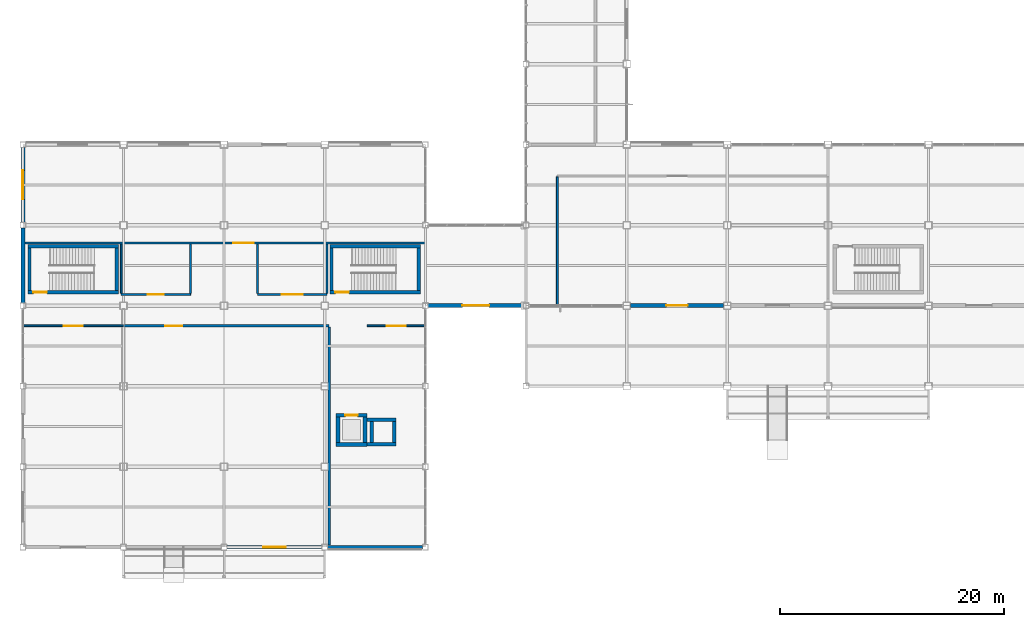
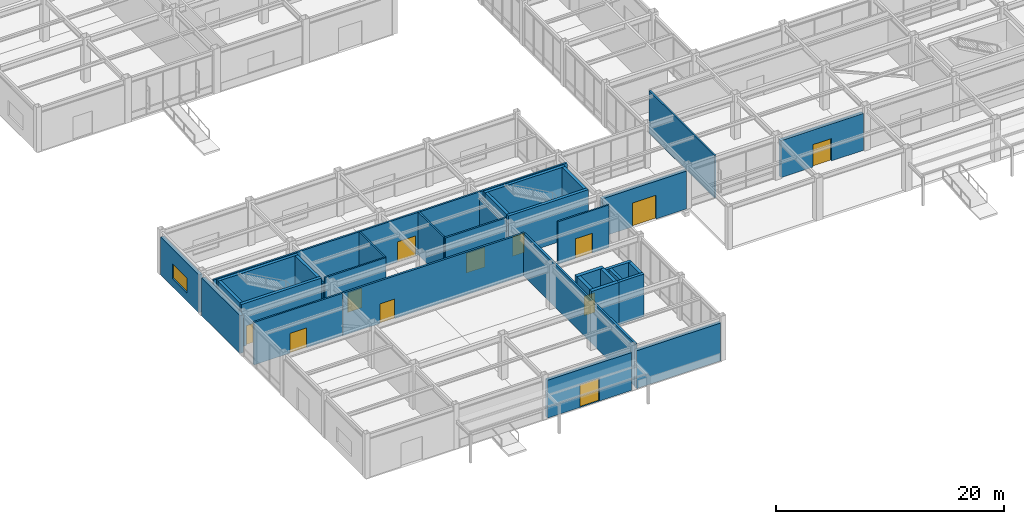
# One storey, part 87 of 112: 34 walls, 12 doors, 1 window, 13 openings.
"""IFC4 building model written with IfcOpenShell, lengths in metres."""

from ifc_helpers import new_model, si_unit, direction, frame, frame_2d, origin, place, context, subcontext, project, spatial, rectangle, extrude, material, layer, layer_set, type_object, element, fill, save


model = new_model("IFC4")

# Units and contexts
model_context = context("Model", 3, precision=1e-05, world=origin(), true_north=direction((0.0, 1.0)))
body_context = subcontext(model_context, "Body", "Model", "MODEL_VIEW")
ifc_project = project(units=[si_unit("LENGTHUNIT", "METRE"), si_unit("AREAUNIT", "SQUARE_METRE"), si_unit("VOLUMEUNIT", "CUBIC_METRE"), si_unit("PLANEANGLEUNIT", "RADIAN"), si_unit("MASSUNIT", "GRAM", prefix="KILO")], contexts=[model_context])

# Site, building, storey
site_placement = place(None, origin())
site = spatial("IfcSite", under=ifc_project, at=site_placement, CompositionType="ELEMENT")
building_placement = place(site_placement, origin())
building = spatial("IfcBuilding", under=site, at=building_placement, Name="Kazanami Central Library", CompositionType="ELEMENT")
storey_placement = place(building_placement, origin())
storey = spatial("IfcBuildingStorey", under=building, at=storey_placement, Name="L01", CompositionType="ELEMENT", Elevation=0.0)

# Wall, opening, door
ifc_material_1 = material(Name="Concrete Fc36 (36 MPa)", Category="concrete")
ifc_layer_1 = layer(ifc_material_1, 0.27001953125, Name="Concrete Fc36 (36 MPa)")
ifc_material_2 = material(Name="Extruded Polystyrene XPS", Category="earth")
ifc_layer_2 = layer(ifc_material_2, 0.050048828125, Name="Extruded Polystyrene XPS")
ifc_material_3 = material(Name="Honed Inada Granite", Category="masonry")
ifc_layer_3 = layer(ifc_material_3, 0.030029296875, Name="Honed Inada Granite")
ifc_layer_set_1 = layer_set([ifc_layer_1, ifc_layer_2, ifc_layer_3], Name="Concrete Fc36 (36 MPa)")
wall_type_1 = type_object("IfcWallType", Name="WAL-EW-350", PredefinedType="STANDARD", material=ifc_layer_set_1)
wall_1_placement = place(storey_placement, frame((18.25, 0.0, 0.0), z_axis=(0.0, 0.0, 1.0), x_axis=(1.0, 0.0, 0.0)))
wall_1 = element("IfcWall", 1, at=wall_1_placement, inside=storey, type_object=wall_type_1, Name="Exterior Facade Wall EW-350 L01 S-A-02", PredefinedType="STANDARD", context=body_context, shape_type="SweptSolid", body=[
    extrude(rectangle(XDim=8.5, YDim=0.35009765625, at=frame_2d((4.25, 0.0))), origin(), (0.0, 0.0, 1.0), 4.054931640625),
])
opening_1_placement = place(wall_1_placement, frame((3.25, 0.0, 0.0)))
opening_1 = element("IfcOpeningElement", 2, at=opening_1_placement, cuts=wall_1, Name="Opening ED-02", PredefinedType="OPENING", context=body_context, shape_type="SweptSolid", body=[
    extrude(rectangle(XDim=2.0, YDim=2.449951171875, at=frame_2d((1.0, 1.22509765625))), frame((0.0, 0.18701171875, 0.0), z_axis=(0.0, -1.0, 0.0), x_axis=(1.0, 0.0, 0.0)), (0.0, 0.0, 1.0), 0.3740234375),
])
ifc_material_4 = material(Name="Anodised Aluminium A6063-T5", Category="aluminium")
door_type_1 = type_object("IfcDoorType", Name="DOR-ED-02", OperationType="DOUBLE_DOOR_SINGLE_SWING", PredefinedType="DOOR", material=ifc_material_4)
door_1_placement = place(opening_1_placement, frame((2.0, 0.0, 0.0), z_axis=(0.0, 0.0, 1.0), x_axis=(-1.0, 0.0, 0.0)))
door_1 = element("IfcDoor", 3, at=door_1_placement, inside=storey, type_object=door_type_1, Name="Main Pedestrian Exit Door 02", OperationType="DOUBLE_DOOR_SINGLE_SWING", OverallHeight=2.449951171875, OverallWidth=2.0, PredefinedType="DOOR", context=body_context, shape_type="SweptSolid", body=[
    extrude(rectangle(XDim=2.0, YDim=2.449951171875, at=frame_2d((1.0, 1.22509765625))), frame((0.0, 0.02490234375, 0.0), z_axis=(0.0, -1.0, 0.0), x_axis=(1.0, 0.0, 0.0)), (0.0, 0.0, 1.0), 0.050048828125),
])
fill(opening_1, door_1)

# Wall
wall_2_placement = place(storey_placement, frame((27.25, 0.0, 0.0), z_axis=(0.0, 0.0, 1.0), x_axis=(1.0, 0.0, 0.0)))
element("IfcWall", 4, at=wall_2_placement, inside=storey, type_object=wall_type_1, Name="Exterior Facade Wall EW-350 L01 S-A-03", PredefinedType="STANDARD", context=body_context, shape_type="SweptSolid", body=[
    extrude(rectangle(XDim=8.5, YDim=0.35009765625, at=frame_2d((4.25, 0.0))), origin(), (0.0, 0.0, 1.0), 4.054931640625),
])

# Wall, opening, door
wall_3_placement = place(storey_placement, frame((36.25, 21.60009765625, 0.0), z_axis=(0.0, 0.0, 1.0), x_axis=(1.0, 0.0, 0.0)))
wall_3 = element("IfcWall", 5, at=wall_3_placement, inside=storey, type_object=wall_type_1, Name="Exterior Facade Wall EW-350 L01 S-D-04", PredefinedType="STANDARD", context=body_context, shape_type="SweptSolid", body=[
    extrude(rectangle(XDim=8.5, YDim=0.35009765625, at=frame_2d((4.25, 0.0))), origin(), (0.0, 0.0, 1.0), 4.054931640625),
])
opening_2_placement = place(wall_3_placement, frame((3.050048828125, 0.0, 0.0)))
opening_2 = element("IfcOpeningElement", 6, at=opening_2_placement, cuts=wall_3, Name="Opening ED-03", PredefinedType="OPENING", context=body_context, shape_type="SweptSolid", body=[
    extrude(rectangle(XDim=2.39990234375, YDim=2.550048828125, at=frame_2d((1.199951171875, 1.27490234375))), frame((0.0, 0.18701171875, 0.0), z_axis=(0.0, -1.0, 0.0), x_axis=(1.0, 0.0, 0.0)), (0.0, 0.0, 1.0), 0.3740234375),
])
door_type_2 = type_object("IfcDoorType", Name="DOR-ED-03", OperationType="DOUBLE_DOOR_SINGLE_SWING", PredefinedType="DOOR", material=ifc_material_4)
door_2_placement = place(opening_2_placement, frame((2.39990234375, 0.0, 0.0), z_axis=(0.0, 0.0, 1.0), x_axis=(-1.0, 0.0, 0.0)))
door_2 = element("IfcDoor", 7, at=door_2_placement, inside=storey, type_object=door_type_2, Name="Main Pedestrian Exit Door 03", OperationType="DOUBLE_DOOR_SINGLE_SWING", OverallHeight=2.550048828125, OverallWidth=2.39990234375, PredefinedType="DOOR", context=body_context, shape_type="SweptSolid", body=[
    extrude(rectangle(XDim=2.39990234375, YDim=2.550048828125, at=frame_2d((1.199951171875, 1.27490234375))), frame((0.0, 0.02490234375, 0.0), z_axis=(0.0, -1.0, 0.0), x_axis=(1.0, 0.0, 0.0)), (0.0, 0.0, 1.0), 0.050048828125),
])
fill(opening_2, door_2)

wall_4_placement = place(storey_placement, frame((54.324951171875, 21.60009765625, 0.0), z_axis=(0.0, 0.0, 1.0), x_axis=(1.0, 0.0, 0.0)))
wall_4 = element("IfcWall", 8, at=wall_4_placement, inside=storey, type_object=wall_type_1, Name="Exterior Facade Wall EW-350 L01 S-D-06", PredefinedType="STANDARD", context=body_context, shape_type="SweptSolid", body=[
    extrude(rectangle(XDim=8.35009765625, YDim=0.35009765625, at=frame_2d((4.175048828125, 0.0))), origin(), (0.0, 0.0, 1.0), 3.955078125),
])
opening_3_placement = place(wall_4_placement, frame((3.22509765625, 0.0, 0.0)))
opening_3 = element("IfcOpeningElement", 9, at=opening_3_placement, cuts=wall_4, Name="Opening ED-04", PredefinedType="OPENING", context=body_context, shape_type="SweptSolid", body=[
    extrude(rectangle(XDim=1.89990234375, YDim=2.39990234375, at=frame_2d((0.949951171875, 1.199951171875))), frame((0.0, 0.18701171875, 0.0), z_axis=(0.0, -1.0, 0.0), x_axis=(1.0, 0.0, 0.0)), (0.0, 0.0, 1.0), 0.3740234375),
])
door_type_3 = type_object("IfcDoorType", Name="DOR-ED-04", OperationType="DOUBLE_DOOR_SINGLE_SWING", PredefinedType="DOOR", material=ifc_material_4)
door_3_placement = place(opening_3_placement, frame((1.89990234375, 0.0, 0.0), z_axis=(0.0, 0.0, 1.0), x_axis=(-1.0, 0.0, 0.0)))
door_3 = element("IfcDoor", 10, at=door_3_placement, inside=storey, type_object=door_type_3, Name="Main Pedestrian Exit Door 04", OperationType="DOUBLE_DOOR_SINGLE_SWING", OverallHeight=2.39990234375, OverallWidth=1.89990234375, PredefinedType="DOOR", context=body_context, shape_type="SweptSolid", body=[
    extrude(rectangle(XDim=1.89990234375, YDim=2.39990234375, at=frame_2d((0.949951171875, 1.199951171875))), frame((0.0, 0.02490234375, 0.0), z_axis=(0.0, -1.0, 0.0), x_axis=(1.0, 0.0, 0.0)), (0.0, 0.0, 1.0), 0.050048828125),
])
fill(opening_3, door_3)

# Wall
wall_5_placement = place(storey_placement, frame((0.0, 21.85009765625, 0.0), z_axis=(0.0, 0.0, 1.0), x_axis=(0.0, 1.0, 0.0)))
element("IfcWall", 11, at=wall_5_placement, inside=storey, type_object=wall_type_1, Name="Exterior Facade Wall EW-350 L01 W-1-03", PredefinedType="STANDARD", context=body_context, shape_type="SweptSolid", body=[
    extrude(rectangle(XDim=6.699951171875, YDim=0.35009765625, at=frame_2d((3.35009765625, 0.0))), origin(), (0.0, 0.0, 1.0), 4.054931640625),
])

# Wall, opening, window
wall_6_placement = place(storey_placement, frame((0.0, 29.050048828125, 0.0), z_axis=(0.0, 0.0, 1.0), x_axis=(0.0, 1.0, 0.0)))
wall_6 = element("IfcWall", 12, at=wall_6_placement, inside=storey, type_object=wall_type_1, Name="Exterior Facade Wall EW-350 L01 W-1-04", PredefinedType="STANDARD", context=body_context, shape_type="SweptSolid", body=[
    extrude(rectangle(XDim=6.699951171875, YDim=0.35009765625, at=frame_2d((3.35009765625, 0.0))), origin(), (0.0, 0.0, 1.0), 4.054931640625),
])
opening_4_placement = place(wall_6_placement, frame((2.050048828125, 0.0, 0.85009765625)))
opening_4 = element("IfcOpeningElement", 13, at=opening_4_placement, cuts=wall_6, Name="Opening WN-13", PredefinedType="OPENING", context=body_context, shape_type="SweptSolid", body=[
    extrude(rectangle(XDim=2.60009765625, YDim=1.60009765625, at=frame_2d((1.300048828125, 0.800048828125))), frame((0.0, 0.18701171875, 0.0), z_axis=(0.0, -1.0, 0.0), x_axis=(1.0, 0.0, 0.0)), (0.0, 0.0, 1.0), 0.3740234375),
])
ifc_material_5 = material(Name="Low-E Insulated Triple Glass", Category="glass")
window_type = type_object("IfcWindowType", Name="WIN-WN-13", PartitioningType="DOUBLE_PANEL_VERTICAL", PredefinedType="WINDOW", material=ifc_material_5)
window_placement = place(opening_4_placement, origin())
window = element("IfcWindow", 14, at=window_placement, inside=storey, type_object=window_type, Name="Facade Window WN-13 L01 W-1-04", OverallHeight=1.60009765625, OverallWidth=2.60009765625, PartitioningType="DOUBLE_PANEL_VERTICAL", PredefinedType="WINDOW", context=body_context, shape_type="SweptSolid", body=[
    extrude(rectangle(XDim=2.60009765625, YDim=1.60009765625, at=frame_2d((1.300048828125, 0.800048828125))), frame((0.0, 0.030029296875, 0.0), z_axis=(0.0, -1.0, 0.0), x_axis=(1.0, 0.0, 0.0)), (0.0, 0.0, 1.0), 0.06005859375),
])
fill(opening_4, window)

# Wall, opening, door
ifc_material_6 = material(Name="Fire-Resistant Gypsum Board GB-F", Category="gypsum")
ifc_layer_4 = layer(ifc_material_6, 0.1650390625, Name="Fire-Resistant Gypsum Board GB-F")
ifc_layer_set_2 = layer_set([ifc_layer_4], Name="Fire-Resistant Gypsum Board GB-F")
wall_type_2 = type_object("IfcWallType", Name="WAL-FW-165", PredefinedType="PARTITIONING", material=ifc_layer_set_2)
wall_7_placement = place(storey_placement, frame((0.034912109375, 19.800048828125, 0.0), z_axis=(0.0, 0.0, 1.0), x_axis=(1.0, 0.0, 0.0)))
wall_7 = element("IfcWall", 15, at=wall_7_placement, inside=storey, type_object=wall_type_2, Name="Interior Partition FW-165 L01 RM-06 (North)", PredefinedType="PARTITIONING", context=body_context, shape_type="SweptSolid", body=[
    extrude(rectangle(XDim=8.965087890625, YDim=0.1650390625, at=frame_2d((4.482421875, 0.0))), origin(), (0.0, 0.0, 1.0), 4.554931640625),
])
opening_5_placement = place(wall_7_placement, frame((3.614990234375, 0.0, 0.0)))
opening_5 = element("IfcOpeningElement", 16, at=opening_5_placement, cuts=wall_7, Name="Opening FD30-4", PredefinedType="OPENING", context=body_context, shape_type="SweptSolid", body=[
    extrude(rectangle(XDim=1.699951171875, YDim=2.1201171875, at=frame_2d((0.85009765625, 1.06005859375))), frame((0.0, 0.094482421875, 0.0), z_axis=(0.0, -1.0, 0.0), x_axis=(1.0, 0.0, 0.0)), (0.0, 0.0, 1.0), 0.18896484375),
])
ifc_material_7 = material(Name="Cold-Rolled Steel SPCC", Category="steel")
door_type_4 = type_object("IfcDoorType", Name="DOR-FD30-4", OperationType="DOUBLE_DOOR_SINGLE_SWING", PredefinedType="DOOR", material=ifc_material_7)
door_4_placement = place(opening_5_placement, origin())
door_4 = element("IfcDoor", 17, at=door_4_placement, inside=storey, type_object=door_type_4, Name="Interior Door FD30-4 L01 RM-06", OperationType="DOUBLE_DOOR_SINGLE_SWING", OverallHeight=2.1201171875, OverallWidth=1.699951171875, PredefinedType="DOOR", context=body_context, shape_type="SweptSolid", body=[
    extrude(rectangle(XDim=1.699951171875, YDim=2.1201171875, at=frame_2d((0.85009765625, 1.06005859375))), frame((0.0, 0.02490234375, 0.0), z_axis=(0.0, -1.0, 0.0), x_axis=(1.0, 0.0, 0.0)), (0.0, 0.0, 1.0), 0.050048828125),
])
fill(opening_5, door_4)

wall_8_placement = place(storey_placement, frame((30.800048828125, 19.800048828125, 0.0), z_axis=(0.0, 0.0, 1.0), x_axis=(1.0, 0.0, 0.0)))
wall_8 = element("IfcWall", 18, at=wall_8_placement, inside=storey, type_object=wall_type_2, Name="Interior Partition FW-165 L01 RM-08 (North)", PredefinedType="PARTITIONING", context=body_context, shape_type="SweptSolid", body=[
    extrude(rectangle(XDim=5.1650390625, YDim=0.1650390625, at=frame_2d((2.58251953125, 0.0))), origin(), (0.0, 0.0, 1.0), 4.554931640625),
])
opening_6_placement = place(wall_8_placement, frame((1.75, 0.0, 0.0)))
opening_6 = element("IfcOpeningElement", 19, at=opening_6_placement, cuts=wall_8, Name="Opening FD30-4", PredefinedType="OPENING", context=body_context, shape_type="SweptSolid", body=[
    extrude(rectangle(XDim=1.699951171875, YDim=2.1201171875, at=frame_2d((0.85009765625, 1.06005859375))), frame((0.0, 0.094482421875, 0.0), z_axis=(0.0, -1.0, 0.0), x_axis=(1.0, 0.0, 0.0)), (0.0, 0.0, 1.0), 0.18896484375),
])
door_5_placement = place(opening_6_placement, origin())
door_5 = element("IfcDoor", 20, at=door_5_placement, inside=storey, type_object=door_type_4, Name="Interior Door FD30-4 L01 RM-08", OperationType="DOUBLE_DOOR_SINGLE_SWING", OverallHeight=2.1201171875, OverallWidth=1.699951171875, PredefinedType="DOOR", context=body_context, shape_type="SweptSolid", body=[
    extrude(rectangle(XDim=1.699951171875, YDim=2.1201171875, at=frame_2d((0.85009765625, 1.06005859375))), frame((0.0, 0.02490234375, 0.0), z_axis=(0.0, -1.0, 0.0), x_axis=(1.0, 0.0, 0.0)), (0.0, 0.0, 1.0), 0.050048828125),
])
fill(opening_6, door_5)

wall_9_placement = place(storey_placement, frame((8.800048828125, 22.60009765625, 0.0), z_axis=(0.0, 0.0, 1.0), x_axis=(1.0, 0.0, 0.0)))
wall_9 = element("IfcWall", 21, at=wall_9_placement, inside=storey, type_object=wall_type_2, Name="Interior Partition FW-165 L01 RM-11 (South)", PredefinedType="PARTITIONING", context=body_context, shape_type="SweptSolid", body=[
    extrude(rectangle(XDim=6.199951171875, YDim=0.1650390625, at=frame_2d((3.10009765625, 0.0))), origin(), (0.0, 0.0, 1.0), 4.554931640625),
])
opening_7_placement = place(wall_9_placement, frame((2.375, 0.0, 0.0)))
opening_7 = element("IfcOpeningElement", 22, at=opening_7_placement, cuts=wall_9, Name="Opening FD30-6", PredefinedType="OPENING", context=body_context, shape_type="SweptSolid", body=[
    extrude(rectangle(XDim=1.449951171875, YDim=2.10009765625, at=frame_2d((0.72509765625, 1.050048828125))), frame((0.0, 0.094482421875, 0.0), z_axis=(0.0, -1.0, 0.0), x_axis=(1.0, 0.0, 0.0)), (0.0, 0.0, 1.0), 0.18896484375),
])
door_type_5 = type_object("IfcDoorType", Name="DOR-FD30-6", OperationType="DOUBLE_DOOR_SINGLE_SWING", PredefinedType="DOOR", material=ifc_material_7)
door_6_placement = place(opening_7_placement, origin())
door_6 = element("IfcDoor", 23, at=door_6_placement, inside=storey, type_object=door_type_5, Name="Interior Door FD30-6 L01 RM-11", OperationType="DOUBLE_DOOR_SINGLE_SWING", OverallHeight=2.10009765625, OverallWidth=1.449951171875, PredefinedType="DOOR", context=body_context, shape_type="SweptSolid", body=[
    extrude(rectangle(XDim=1.449951171875, YDim=2.10009765625, at=frame_2d((0.72509765625, 1.050048828125))), frame((0.0, 0.02490234375, 0.0), z_axis=(0.0, -1.0, 0.0), x_axis=(1.0, 0.0, 0.0)), (0.0, 0.0, 1.0), 0.050048828125),
])
fill(opening_7, door_6)

# Walls
wall_10_placement = place(storey_placement, frame((8.800048828125, 22.68994140625, 0.0), z_axis=(0.0, 0.0, 1.0), x_axis=(0.0, 1.0, 0.0)))
element("IfcWall", 24, at=wall_10_placement, inside=storey, type_object=wall_type_2, Name="Interior Partition FW-165 L01 RM-11 (West)", PredefinedType="PARTITIONING", context=body_context, shape_type="SweptSolid", body=[
    extrude(rectangle(XDim=4.420166015625, YDim=0.1650390625, at=frame_2d((2.2099609375, 0.0))), origin(), (0.0, 0.0, 1.0), 3.8349609375),
])
wall_11_placement = place(storey_placement, frame((15.0, 22.68994140625, 0.0), z_axis=(0.0, 0.0, 1.0), x_axis=(0.0, 1.0, 0.0)))
element("IfcWall", 25, at=wall_11_placement, inside=storey, type_object=wall_type_2, Name="Interior Partition FW-165 L01 RM-11 (East)", PredefinedType="PARTITIONING", context=body_context, shape_type="SweptSolid", body=[
    extrude(rectangle(XDim=4.420166015625, YDim=0.1650390625, at=frame_2d((2.2099609375, 0.0))), origin(), (0.0, 0.0, 1.0), 4.554931640625),
])
wall_12_placement = place(storey_placement, frame((47.800048828125, 21.635009765625, 0.0), z_axis=(0.0, 0.0, 1.0), x_axis=(0.0, 1.0, 0.0)))
element("IfcWall", 26, at=wall_12_placement, inside=storey, type_object=wall_type_2, Name="Interior Partition FW-165 L01 RM-27 (West)", PredefinedType="PARTITIONING", context=body_context, shape_type="SweptSolid", body=[
    extrude(rectangle(XDim=11.47509765625, YDim=0.1650390625, at=frame_2d((5.737548828125, 0.0))), origin(), (0.0, 0.0, 1.0), 4.554931640625),
])

# Wall, opening, door
ifc_layer_5 = layer(ifc_material_6, 0.179931640625, Name="Fire-Resistant Gypsum Board GB-F")
ifc_layer_set_3 = layer_set([ifc_layer_5], Name="Fire-Resistant Gypsum Board GB-F")
wall_type_3 = type_object("IfcWallType", Name="WAL-FW-180", PredefinedType="PARTITIONING", material=ifc_layer_set_3)
wall_13_placement = place(storey_placement, frame((0.179931640625, 27.199951171875, 0.0), z_axis=(0.0, 0.0, 1.0), x_axis=(1.0, 0.0, 0.0)))
wall_13 = element("IfcWall", 27, at=wall_13_placement, inside=storey, type_object=wall_type_3, Name="Interior Partition FW-180 L01 RM-09 (South)", PredefinedType="PARTITIONING", context=body_context, shape_type="SweptSolid", body=[
    extrude(rectangle(XDim=35.820068359375, YDim=0.179931640625, at=frame_2d((17.91015625, 0.0))), origin(), (0.0, 0.0, 1.0), 4.554931640625),
])
opening_8_placement = place(wall_13_placement, frame((18.6201171875, 0.0, 0.0)))
opening_8 = element("IfcOpeningElement", 28, at=opening_8_placement, cuts=wall_13, Name="Opening FD30-5", PredefinedType="OPENING", context=body_context, shape_type="SweptSolid", body=[
    extrude(rectangle(XDim=1.85009765625, YDim=2.1201171875, at=frame_2d((0.925048828125, 1.06005859375))), frame((0.0, 0.10205078125, 0.0), z_axis=(0.0, -1.0, 0.0), x_axis=(1.0, 0.0, 0.0)), (0.0, 0.0, 1.0), 0.203857421875),
])
door_type_6 = type_object("IfcDoorType", Name="DOR-FD30-5", OperationType="DOUBLE_DOOR_SINGLE_SWING", PredefinedType="DOOR", material=ifc_material_7)
door_7_placement = place(opening_8_placement, origin())
door_7 = element("IfcDoor", 29, at=door_7_placement, inside=storey, type_object=door_type_6, Name="Interior Door FD30-5 L01 RM-09", OperationType="DOUBLE_DOOR_SINGLE_SWING", OverallHeight=2.1201171875, OverallWidth=1.85009765625, PredefinedType="DOOR", context=body_context, shape_type="SweptSolid", body=[
    extrude(rectangle(XDim=1.85009765625, YDim=2.1201171875, at=frame_2d((0.925048828125, 1.06005859375))), frame((0.0, 0.02490234375, 0.0), z_axis=(0.0, -1.0, 0.0), x_axis=(1.0, 0.0, 0.0)), (0.0, 0.0, 1.0), 0.050048828125),
])
fill(opening_8, door_7)

wall_14_placement = place(storey_placement, frame((21.0, 22.60009765625, 0.0), z_axis=(0.0, 0.0, 1.0), x_axis=(1.0, 0.0, 0.0)))
wall_14 = element("IfcWall", 30, at=wall_14_placement, inside=storey, type_object=wall_type_3, Name="Interior Partition FW-180 L01 RM-12 (South)", PredefinedType="PARTITIONING", context=body_context, shape_type="SweptSolid", body=[
    extrude(rectangle(XDim=6.199951171875, YDim=0.179931640625, at=frame_2d((3.10009765625, 0.0))), origin(), (0.0, 0.0, 1.0), 4.554931640625),
])
opening_9_placement = place(wall_14_placement, frame((2.175048828125, 0.0, 0.0)))
opening_9 = element("IfcOpeningElement", 31, at=opening_9_placement, cuts=wall_14, Name="Opening FD30-5", PredefinedType="OPENING", context=body_context, shape_type="SweptSolid", body=[
    extrude(rectangle(XDim=1.85009765625, YDim=2.1201171875, at=frame_2d((0.925048828125, 1.06005859375))), frame((0.0, 0.10205078125, 0.0), z_axis=(0.0, -1.0, 0.0), x_axis=(1.0, 0.0, 0.0)), (0.0, 0.0, 1.0), 0.203857421875),
])
door_8_placement = place(opening_9_placement, origin())
door_8 = element("IfcDoor", 32, at=door_8_placement, inside=storey, type_object=door_type_6, Name="Interior Door FD30-5 L01 RM-12", OperationType="DOUBLE_DOOR_SINGLE_SWING", OverallHeight=2.1201171875, OverallWidth=1.85009765625, PredefinedType="DOOR", context=body_context, shape_type="SweptSolid", body=[
    extrude(rectangle(XDim=1.85009765625, YDim=2.1201171875, at=frame_2d((0.925048828125, 1.06005859375))), frame((0.0, 0.02490234375, 0.0), z_axis=(0.0, -1.0, 0.0), x_axis=(1.0, 0.0, 0.0)), (0.0, 0.0, 1.0), 0.050048828125),
])
fill(opening_9, door_8)

# Walls
wall_15_placement = place(storey_placement, frame((21.0, 22.68994140625, 0.0), z_axis=(0.0, 0.0, 1.0), x_axis=(0.0, 1.0, 0.0)))
element("IfcWall", 33, at=wall_15_placement, inside=storey, type_object=wall_type_3, Name="Interior Partition FW-180 L01 RM-12 (West)", PredefinedType="PARTITIONING", context=body_context, shape_type="SweptSolid", body=[
    extrude(rectangle(XDim=4.420166015625, YDim=0.179931640625, at=frame_2d((2.2099609375, 0.0))), origin(), (0.0, 0.0, 1.0), 4.554931640625),
])
wall_16_placement = place(storey_placement, frame((27.199951171875, 22.68994140625, 0.0), z_axis=(0.0, 0.0, 1.0), x_axis=(0.0, 1.0, 0.0)))
element("IfcWall", 34, at=wall_16_placement, inside=storey, type_object=wall_type_3, Name="Interior Partition FW-180 L01 RM-12 (East)", PredefinedType="PARTITIONING", context=body_context, shape_type="SweptSolid", body=[
    extrude(rectangle(XDim=4.420166015625, YDim=0.179931640625, at=frame_2d((2.2099609375, 0.0))), origin(), (0.0, 0.0, 1.0), 3.8349609375),
])

# Wall, opening, door
ifc_layer_6 = layer(ifc_material_6, 0.199951171875, Name="Fire-Resistant Gypsum Board GB-F")
ifc_layer_set_4 = layer_set([ifc_layer_6], Name="Fire-Resistant Gypsum Board GB-F")
wall_type_4 = type_object("IfcWallType", Name="WAL-FW-200", PredefinedType="PARTITIONING", material=ifc_layer_set_4)
wall_17_placement = place(storey_placement, frame((9.0, 19.800048828125, 0.0), z_axis=(0.0, 0.0, 1.0), x_axis=(1.0, 0.0, 0.0)))
wall_17 = element("IfcWall", 35, at=wall_17_placement, inside=storey, type_object=wall_type_4, Name="Interior Partition FW-200 L01 RM-07 (North)", PredefinedType="PARTITIONING", context=body_context, shape_type="SweptSolid", body=[
    extrude(rectangle(XDim=18.39990234375, YDim=0.199951171875, at=frame_2d((9.199951171875, 0.0))), origin(), (0.0, 0.0, 1.0), 4.554931640625),
])
opening_10_placement = place(wall_17_placement, frame((3.75, 0.0, 0.0)))
opening_10 = element("IfcOpeningElement", 36, at=opening_10_placement, cuts=wall_17, Name="Opening FD60-6", PredefinedType="OPENING", context=body_context, shape_type="SweptSolid", body=[
    extrude(rectangle(XDim=1.5, YDim=2.10009765625, at=frame_2d((0.75, 1.050048828125))), frame((0.0, 0.11181640625, 0.0), z_axis=(0.0, -1.0, 0.0), x_axis=(1.0, 0.0, 0.0)), (0.0, 0.0, 1.0), 0.223876953125),
])
door_type_7 = type_object("IfcDoorType", Name="DOR-FD60-6", OperationType="DOUBLE_DOOR_SINGLE_SWING", PredefinedType="DOOR", material=ifc_material_7)
door_9_placement = place(opening_10_placement, origin())
door_9 = element("IfcDoor", 37, at=door_9_placement, inside=storey, type_object=door_type_7, Name="Interior Door FD60-6 L01 RM-07", OperationType="DOUBLE_DOOR_SINGLE_SWING", OverallHeight=2.10009765625, OverallWidth=1.5, PredefinedType="DOOR", context=body_context, shape_type="SweptSolid", body=[
    extrude(rectangle(XDim=1.5, YDim=2.10009765625, at=frame_2d((0.75, 1.050048828125))), frame((0.0, 0.02490234375, 0.0), z_axis=(0.0, -1.0, 0.0), x_axis=(1.0, 0.0, 0.0)), (0.0, 0.0, 1.0), 0.050048828125),
])
fill(opening_10, door_9)

# Wall
wall_18_placement = place(storey_placement, frame((27.39990234375, 0.179931640625, 0.0), z_axis=(0.0, 0.0, 1.0), x_axis=(0.0, 1.0, 0.0)))
element("IfcWall", 38, at=wall_18_placement, inside=storey, type_object=wall_type_4, Name="Interior Partition FW-200 L01 RM-07 (East)", PredefinedType="PARTITIONING", context=body_context, shape_type="SweptSolid", body=[
    extrude(rectangle(XDim=19.530029296875, YDim=0.199951171875, at=frame_2d((9.76513671875, 0.0))), origin(), (0.0, 0.0, 1.0), 4.554931640625),
])

# Wall, opening, door
ifc_layer_7 = layer(ifc_material_1, 0.300048828125, Name="Concrete Fc36 (36 MPa)")
ifc_layer_set_5 = layer_set([ifc_layer_7], Name="Concrete Fc36 (36 MPa)")
wall_type_5 = type_object("IfcWallType", Name="WAL-SW-300", PredefinedType="SHEAR", material=ifc_layer_set_5)
wall_19_placement = place(storey_placement, frame((0.449951171875, 22.800048828125, 0.0), z_axis=(0.0, 0.0, 1.0), x_axis=(1.0, 0.0, 0.0)))
wall_19 = element("IfcWall", 39, at=wall_19_placement, inside=storey, type_object=wall_type_5, Name="Stair Core Wall ST-07 South L01", PredefinedType="SHEAR", context=body_context, shape_type="SweptSolid", body=[
    extrude(rectangle(XDim=8.10009765625, YDim=0.300048828125, at=frame_2d((4.050048828125, 0.0))), origin(), (0.0, 0.0, 1.0), 4.554931640625),
])
opening_11_placement = place(wall_19_placement, frame((0.5, 0.0, 0.0)))
opening_11 = element("IfcOpeningElement", 40, at=opening_11_placement, cuts=wall_19, Name="Opening FD60-1", PredefinedType="OPENING", context=body_context, shape_type="SweptSolid", body=[
    extrude(rectangle(XDim=1.199951171875, YDim=2.10009765625, at=frame_2d((0.60009765625, 1.050048828125))), frame((0.0, 0.162109375, 0.0), z_axis=(0.0, -1.0, 0.0), x_axis=(1.0, 0.0, 0.0)), (0.0, 0.0, 1.0), 0.323974609375),
])
door_type_8 = type_object("IfcDoorType", Name="DOR-FD60-1", OperationType="NOTDEFINED", PredefinedType="DOOR", material=ifc_material_7)
door_10_placement = place(opening_11_placement, frame((1.199951171875, 0.0, 0.0), z_axis=(0.0, 0.0, 1.0), x_axis=(-1.0, 0.0, 0.0)))
door_10 = element("IfcDoor", 41, at=door_10_placement, inside=storey, type_object=door_type_8, Name="Escape Stair ST-07 Fire Door L01", OperationType="SINGLE_SWING_LEFT", OverallHeight=2.10009765625, OverallWidth=1.199951171875, PredefinedType="DOOR", context=body_context, shape_type="SweptSolid", body=[
    extrude(rectangle(XDim=1.199951171875, YDim=2.10009765625, at=frame_2d((0.60009765625, 1.050048828125))), frame((0.0, 0.02490234375, 0.0), z_axis=(0.0, -1.0, 0.0), x_axis=(1.0, 0.0, 0.0)), (0.0, 0.0, 1.0), 0.050048828125),
])
fill(opening_11, door_10)

# Walls
wall_20_placement = place(storey_placement, frame((0.449951171875, 26.89990234375, 0.0), z_axis=(0.0, 0.0, 1.0), x_axis=(1.0, 0.0, 0.0)))
element("IfcWall", 42, at=wall_20_placement, inside=storey, type_object=wall_type_5, Name="Stair Core Wall ST-07 North L01", PredefinedType="SHEAR", context=body_context, shape_type="SweptSolid", body=[
    extrude(rectangle(XDim=8.10009765625, YDim=0.300048828125, at=frame_2d((4.050048828125, 0.0))), origin(), (0.0, 0.0, 1.0), 4.554931640625),
])
for number, where, z_axis, x_axis, name in (
    (43, (0.60009765625, 22.949951171875, 0.0), (0.0, 0.0, 1.0), (0.0, 1.0, 0.0), "Stair Core Wall ST-07 West L01"),
    (44, (8.39990234375, 22.949951171875, 0.0), (0.0, 0.0, 1.0), (0.0, 1.0, 0.0), "Stair Core Wall ST-07 East L01"),
):
    element("IfcWall", number, at=place(storey_placement, frame(where, z_axis=z_axis, x_axis=x_axis)), inside=storey, type_object=wall_type_5, Name=name, PredefinedType="SHEAR", context=body_context, shape_type="SweptSolid", body=[
        extrude(rectangle(XDim=3.800048828125, YDim=0.300048828125, at=frame_2d((1.89990234375, 0.0))), origin(), (0.0, 0.0, 1.0), 4.554931640625),
    ])

# Wall, opening, door
wall_21_placement = place(storey_placement, frame((27.449951171875, 22.800048828125, 0.0), z_axis=(0.0, 0.0, 1.0), x_axis=(1.0, 0.0, 0.0)))
wall_21 = element("IfcWall", 45, at=wall_21_placement, inside=storey, type_object=wall_type_5, Name="Stair Core Wall ST-08 South L01", PredefinedType="SHEAR", context=body_context, shape_type="SweptSolid", body=[
    extrude(rectangle(XDim=8.10009765625, YDim=0.300048828125, at=frame_2d((4.050048828125, 0.0))), origin(), (0.0, 0.0, 1.0), 4.554931640625),
])
opening_12_placement = place(wall_21_placement, frame((0.5, 0.0, 0.0)))
opening_12 = element("IfcOpeningElement", 46, at=opening_12_placement, cuts=wall_21, Name="Opening FD60-1", PredefinedType="OPENING", context=body_context, shape_type="SweptSolid", body=[
    extrude(rectangle(XDim=1.199951171875, YDim=2.10009765625, at=frame_2d((0.60009765625, 1.050048828125))), frame((0.0, 0.162109375, 0.0), z_axis=(0.0, -1.0, 0.0), x_axis=(1.0, 0.0, 0.0)), (0.0, 0.0, 1.0), 0.323974609375),
])
door_11_placement = place(opening_12_placement, frame((1.199951171875, 0.0, 0.0), z_axis=(0.0, 0.0, 1.0), x_axis=(-1.0, 0.0, 0.0)))
door_11 = element("IfcDoor", 47, at=door_11_placement, inside=storey, type_object=door_type_8, Name="Escape Stair ST-08 Fire Door L01", OperationType="SINGLE_SWING_RIGHT", OverallHeight=2.10009765625, OverallWidth=1.199951171875, PredefinedType="DOOR", context=body_context, shape_type="SweptSolid", body=[
    extrude(rectangle(XDim=1.199951171875, YDim=2.10009765625, at=frame_2d((0.60009765625, 1.050048828125))), frame((0.0, 0.02490234375, 0.0), z_axis=(0.0, -1.0, 0.0), x_axis=(1.0, 0.0, 0.0)), (0.0, 0.0, 1.0), 0.050048828125),
])
fill(opening_12, door_11)

# Walls
wall_22_placement = place(storey_placement, frame((27.449951171875, 26.89990234375, 0.0), z_axis=(0.0, 0.0, 1.0), x_axis=(1.0, 0.0, 0.0)))
element("IfcWall", 48, at=wall_22_placement, inside=storey, type_object=wall_type_5, Name="Stair Core Wall ST-08 North L01", PredefinedType="SHEAR", context=body_context, shape_type="SweptSolid", body=[
    extrude(rectangle(XDim=8.10009765625, YDim=0.300048828125, at=frame_2d((4.050048828125, 0.0))), origin(), (0.0, 0.0, 1.0), 4.554931640625),
])
for number, where, z_axis, x_axis, name in (
    (49, (27.60009765625, 22.949951171875, 0.0), (0.0, 0.0, 1.0), (0.0, 1.0, 0.0), "Stair Core Wall ST-08 West L01"),
    (50, (35.39990234375, 22.949951171875, 0.0), (0.0, 0.0, 1.0), (0.0, 1.0, 0.0), "Stair Core Wall ST-08 East L01"),
):
    element("IfcWall", number, at=place(storey_placement, frame(where, z_axis=z_axis, x_axis=x_axis)), inside=storey, type_object=wall_type_5, Name=name, PredefinedType="SHEAR", context=body_context, shape_type="SweptSolid", body=[
        extrude(rectangle(XDim=3.800048828125, YDim=0.300048828125, at=frame_2d((1.89990234375, 0.0))), origin(), (0.0, 0.0, 1.0), 4.554931640625),
    ])
for number, where, z_axis, x_axis, name in (
    (51, (30.77490234375, 9.199951171875, 0.0), (0.0, 0.0, 1.0), (1.0, 0.0, 0.0), "Service Riser Wall RSR-V3-A S L01"),
    (52, (30.77490234375, 11.39990234375, 0.0), (0.0, 0.0, 1.0), (1.0, 0.0, 0.0), "Service Riser Wall RSR-V3-A N L01"),
):
    element("IfcWall", number, at=place(storey_placement, frame(where, z_axis=z_axis, x_axis=x_axis)), inside=storey, type_object=wall_type_5, Name=name, PredefinedType="SHEAR", context=body_context, shape_type="SweptSolid", body=[
        extrude(rectangle(XDim=2.5751953125, YDim=0.300048828125, at=frame_2d((1.28759765625, 0.0))), origin(), (0.0, 0.0, 1.0), 4.554931640625),
    ])
for number, where, z_axis, x_axis, name in (
    (53, (31.199951171875, 9.35009765625, 0.0), (0.0, 0.0, 1.0), (0.0, 1.0, 0.0), "Service Riser Wall RSR-V3-A W L01"),
    (54, (33.199951171875, 9.35009765625, 0.0), (0.0, 0.0, 1.0), (0.0, 1.0, 0.0), "Service Riser Wall RSR-V3-A E L01"),
):
    element("IfcWall", number, at=place(storey_placement, frame(where, z_axis=z_axis, x_axis=x_axis)), inside=storey, type_object=wall_type_5, Name=name, PredefinedType="SHEAR", context=body_context, shape_type="SweptSolid", body=[
        extrude(rectangle(XDim=1.89990234375, YDim=0.300048828125, at=frame_2d((0.949951171875, 0.0))), origin(), (0.0, 0.0, 1.0), 4.554931640625),
    ])
ifc_layer_8 = layer(ifc_material_1, 0.35009765625, Name="Concrete Fc36 (36 MPa)")
ifc_layer_set_6 = layer_set([ifc_layer_8], Name="Concrete Fc36 (36 MPa)")
wall_type_6 = type_object("IfcWallType", Name="WAL-SW-350", PredefinedType="SHEAR", material=ifc_layer_set_6)
wall_23_placement = place(storey_placement, frame((28.02490234375, 9.199951171875, 0.0), z_axis=(0.0, 0.0, 1.0), x_axis=(1.0, 0.0, 0.0)))
element("IfcWall", 55, at=wall_23_placement, inside=storey, type_object=wall_type_6, Name="Lift Shaft Wall EL-P5 South L01", PredefinedType="SHEAR", context=body_context, shape_type="SweptSolid", body=[
    extrude(rectangle(XDim=2.75, YDim=0.35009765625, at=frame_2d((1.375, 0.0))), origin(), (0.0, 0.0, 1.0), 4.554931640625),
])

# Wall, opening, door
wall_24_placement = place(storey_placement, frame((28.02490234375, 11.800048828125, 0.0), z_axis=(0.0, 0.0, 1.0), x_axis=(1.0, 0.0, 0.0)))
wall_24 = element("IfcWall", 56, at=wall_24_placement, inside=storey, type_object=wall_type_6, Name="Lift Shaft Wall EL-P5 North L01", PredefinedType="SHEAR", context=body_context, shape_type="SweptSolid", body=[
    extrude(rectangle(XDim=2.75, YDim=0.35009765625, at=frame_2d((1.375, 0.0))), origin(), (0.0, 0.0, 1.0), 4.554931640625),
])
opening_13_placement = place(wall_24_placement, frame((0.824951171875, 0.0, 0.0)))
opening_13 = element("IfcOpeningElement", 57, at=opening_13_placement, cuts=wall_24, Name="Opening LD-01", PredefinedType="OPENING", context=body_context, shape_type="SweptSolid", body=[
    extrude(rectangle(XDim=1.10009765625, YDim=2.10009765625, at=frame_2d((0.550048828125, 1.050048828125))), frame((0.0, 0.18701171875, 0.0), z_axis=(0.0, -1.0, 0.0), x_axis=(1.0, 0.0, 0.0)), (0.0, 0.0, 1.0), 0.3740234375),
])
ifc_material_8 = material(Name="Stainless Steel SUS304", Category="steel")
door_type_9 = type_object("IfcDoorType", Name="DOR-LD-01", OperationType="SLIDING_TO_LEFT", PredefinedType="DOOR", material=ifc_material_8)
door_12_placement = place(opening_13_placement, origin())
door_12 = element("IfcDoor", 58, at=door_12_placement, inside=storey, type_object=door_type_9, Name="Lift Landing Sliding Door EL-P5 (L01)", OperationType="SLIDING_TO_RIGHT", OverallHeight=2.10009765625, OverallWidth=1.10009765625, PredefinedType="DOOR", context=body_context, shape_type="SweptSolid", body=[
    extrude(rectangle(XDim=1.10009765625, YDim=2.10009765625, at=frame_2d((0.550048828125, 1.050048828125))), frame((0.0, 0.02490234375, 0.0), z_axis=(0.0, -1.0, 0.0), x_axis=(1.0, 0.0, 0.0)), (0.0, 0.0, 1.0), 0.050048828125),
])
fill(opening_13, door_12)

# Walls
for number, where, z_axis, x_axis, name in (
    (59, (28.199951171875, 9.375, 0.0), (0.0, 0.0, 1.0), (0.0, 1.0, 0.0), "Lift Shaft Wall EL-P5 West L01"),
    (60, (30.60009765625, 9.375, 0.0), (0.0, 0.0, 1.0), (0.0, 1.0, 0.0), "Lift Shaft Wall EL-P5 East L01"),
):
    element("IfcWall", number, at=place(storey_placement, frame(where, z_axis=z_axis, x_axis=x_axis)), inside=storey, type_object=wall_type_6, Name=name, PredefinedType="SHEAR", context=body_context, shape_type="SweptSolid", body=[
        extrude(rectangle(XDim=2.25, YDim=0.35009765625, at=frame_2d((1.125, 0.0))), origin(), (0.0, 0.0, 1.0), 4.554931640625),
    ])

save(model, "model.ifc")
